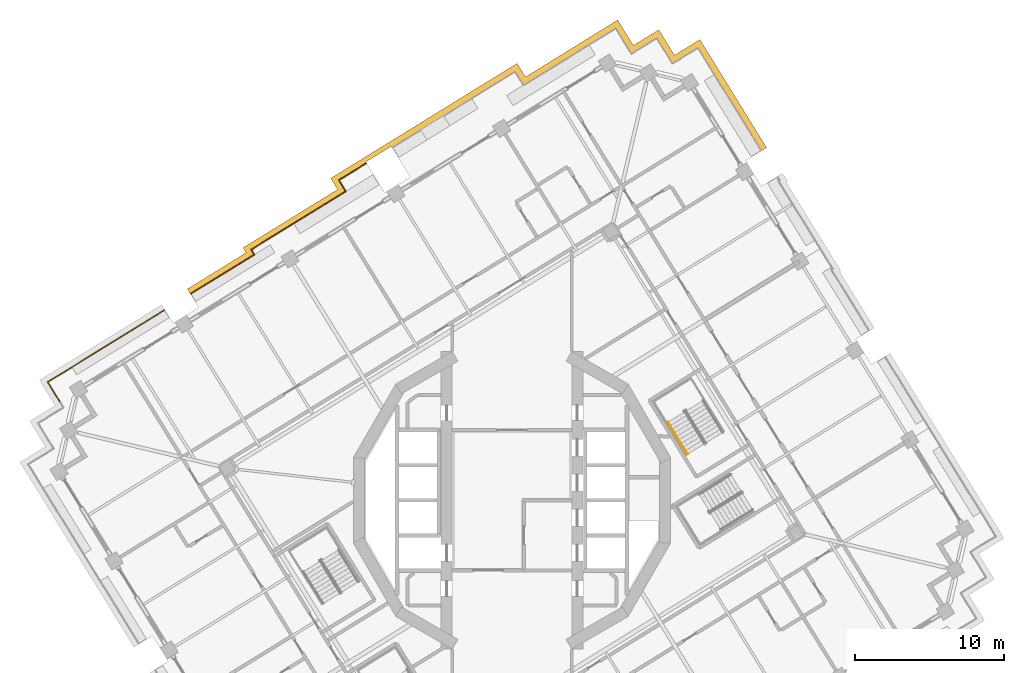
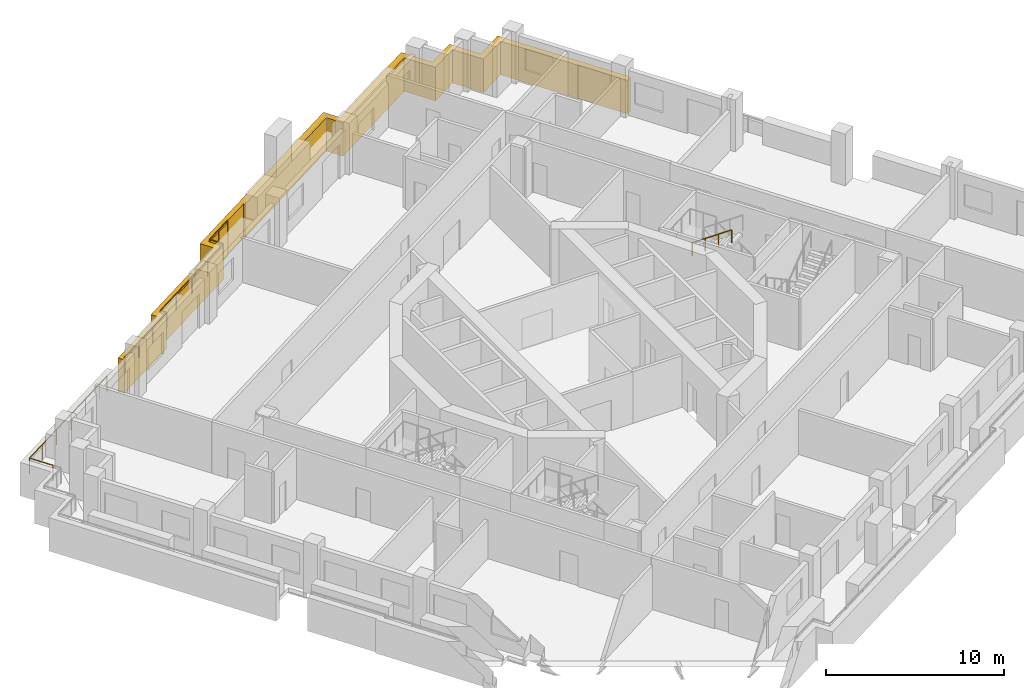
# One storey, part 17 of 20: 3 railings, 1 covering.
"""IFC4 building model written with IfcOpenShell, lengths in metres."""

from ifc_helpers import new_model, si_unit, direction, frame, origin, origin_2d, place, context, subcontext, project, spatial, polyline, circle, outline, extrude, material, type_object, element, save


model = new_model("IFC4")

# Units and contexts
model_context = context("Model", 3, precision=1e-05, world=origin(), true_north=direction((0.0, 1.0)))
body_context = subcontext(model_context, "Body", "Model", "MODEL_VIEW")
ifc_project = project(units=[si_unit("LENGTHUNIT", "METRE"), si_unit("AREAUNIT", "SQUARE_METRE"), si_unit("VOLUMEUNIT", "CUBIC_METRE"), si_unit("PLANEANGLEUNIT", "RADIAN"), si_unit("MASSUNIT", "GRAM", prefix="KILO")], contexts=[model_context])

# Site, building, storey
site_placement = place(None, origin())
site = spatial("IfcSite", under=ifc_project, at=site_placement, CompositionType="ELEMENT")
building_placement = place(site_placement, origin())
building = spatial("IfcBuilding", under=site, at=building_placement, Name="Cantera Rosa Tower", CompositionType="ELEMENT")
storey_placement = place(building_placement, frame((0.0, 0.0, 181.800048828125)))
storey = spatial("IfcBuildingStorey", under=building, at=storey_placement, Name="L40", CompositionType="ELEMENT", Elevation=181.800048828125)

# Railings
ifc_material_1 = material(Name="Stainless steel and laminated glass", Category="steel")
railing_type_1 = type_object("IfcRailingType", Name="GUARD 1100", PredefinedType="BALUSTRADE", material=ifc_material_1)
railing_1_placement = place(storey_placement, frame((-30.293212890625, 6.634521484375, 0.0)))
element("IfcRailing", 1, at=railing_1_placement, inside=storey, type_object=railing_type_1, Name="GUARD L40-4", PredefinedType="BALUSTRADE", context=body_context, shape_type="SweptSolid", body=[
    extrude(circle(Radius=0.030029296875, at=origin_2d()), frame((0.0, 0.0, 1.070068359375), z_axis=(-0.524869051004, 0.85118298814, 0.0), x_axis=(-0.85118298814, -0.524869051004, 0.0)), (0.0, 0.0, 1.0), 1.5),
    extrude(circle(Radius=0.030029296875, at=origin_2d()), frame((-0.787353515625, 1.27685546875, 1.070068359375), z_axis=(0.851138143202, 0.52494176933, 0.0), x_axis=(-0.52494176933, 0.851138143202, 0.0)), (0.0, 0.0, 1.0), 1.5),
    extrude(circle(Radius=0.030029296875, at=origin_2d()), frame((0.4892578125, 2.064208984375, 1.070068359375), z_axis=(0.851120753703, 0.524969963537, 0.0), x_axis=(-0.524969963537, 0.851120753703, 0.0)), (0.0, 0.0, 1.0), 6.820068359375),
    extrude(circle(Radius=0.030029296875, at=origin_2d()), frame((6.2939453125, 5.64453125, 1.070068359375), z_axis=(0.851089370259, 0.525020841331, 0.0), x_axis=(-0.525020841331, 0.851089370259, 0.0)), (0.0, 0.0, 1.0), 0.8701171875),
    extrude(circle(Radius=0.02490234375, at=origin_2d()), origin(), (0.0, 0.0, 1.0), 1.0400390625),
    extrude(circle(Radius=0.02490234375, at=origin_2d()), frame((-0.787353515625, 1.27685546875, 0.0)), (0.0, 0.0, 1.0), 1.0400390625),
    extrude(circle(Radius=0.02490234375, at=origin_2d()), frame((0.4892578125, 2.064208984375, 0.0)), (0.0, 0.0, 1.0), 1.0400390625),
    extrude(circle(Radius=0.02490234375, at=origin_2d()), frame((1.9404296875, 2.959228515625, 0.0)), (0.0, 0.0, 1.0), 1.0400390625),
    extrude(circle(Radius=0.02490234375, at=origin_2d()), frame((3.3916015625, 3.8544921875, 0.0)), (0.0, 0.0, 1.0), 1.0400390625),
    extrude(circle(Radius=0.02490234375, at=origin_2d()), frame((4.8427734375, 4.74951171875, 0.0)), (0.0, 0.0, 1.0), 1.0400390625),
    extrude(circle(Radius=0.02490234375, at=origin_2d()), frame((6.2939453125, 5.64453125, 0.0)), (0.0, 0.0, 1.0), 1.0400390625),
    extrude(circle(Radius=0.02490234375, at=origin_2d()), frame((7.034423828125, 6.101318359375, 0.0)), (0.0, 0.0, 1.0), 1.0400390625),
])
railing_2_placement = place(storey_placement, frame((-21.505615234375, 13.817138671875, 0.0)))
element("IfcRailing", 2, at=railing_2_placement, inside=storey, type_object=railing_type_1, Name="GUARD L40-6", PredefinedType="BALUSTRADE", context=body_context, shape_type="SweptSolid", body=[
    extrude(circle(Radius=0.030029296875, at=origin_2d()), frame((0.0, 0.0, 1.070068359375), z_axis=(0.850339408664, 0.52623463405, 0.0), x_axis=(-0.52623463405, 0.850339408664, 0.0)), (0.0, 0.0, 1.0), 0.070068359375),
    extrude(circle(Radius=0.030029296875, at=origin_2d()), frame((0.0595703125, 0.036865234375, 1.070068359375), z_axis=(0.851115563534, 0.524978378136, 0.0), x_axis=(-0.524978378136, 0.851115563534, 0.0)), (0.0, 0.0, 1.0), 4.930908203125),
    extrude(circle(Radius=0.030029296875, at=origin_2d()), frame((4.25634765625, 2.62548828125, 1.070068359375), z_axis=(-0.524797740266, 0.851226956699, 0.0), x_axis=(-0.851226956699, -0.524797740266, 0.0)), (0.0, 0.0, 1.0), 0.388916015625),
    extrude(circle(Radius=0.030029296875, at=origin_2d()), frame((4.05224609375, 2.95654296875, 1.070068359375), z_axis=(0.851109306272, 0.52498852252, 0.0), x_axis=(-0.52498852252, 0.851109306272, 0.0)), (0.0, 0.0, 1.0), 7.442138671875),
    extrude(circle(Radius=0.030029296875, at=origin_2d()), frame((10.38623046875, 6.863525390625, 1.070068359375), z_axis=(-0.52496592251, 0.851123246189, 0.0), x_axis=(-0.851123246189, -0.52496592251, 0.0)), (0.0, 0.0, 1.0), 0.8779296875),
    extrude(circle(Radius=0.030029296875, at=origin_2d()), frame((9.92529296875, 7.61083984375, 1.070068359375), z_axis=(0.851128332412, 0.524957676166, 0.0), x_axis=(-0.524957676166, 0.851128332412, 0.0)), (0.0, 0.0, 1.0), 2.136962890625),
    extrude(circle(Radius=0.02490234375, at=origin_2d()), origin(), (0.0, 0.0, 1.0), 1.0400390625),
    extrude(circle(Radius=0.02490234375, at=origin_2d()), frame((0.0595703125, 0.036865234375, 0.0)), (0.0, 0.0, 1.0), 1.0400390625),
    extrude(circle(Radius=0.02490234375, at=origin_2d()), frame((1.45849609375, 0.899658203125, 0.0)), (0.0, 0.0, 1.0), 1.0400390625),
    extrude(circle(Radius=0.02490234375, at=origin_2d()), frame((2.857421875, 1.7626953125, 0.0)), (0.0, 0.0, 1.0), 1.0400390625),
    extrude(circle(Radius=0.02490234375, at=origin_2d()), frame((4.25634765625, 2.62548828125, 0.0)), (0.0, 0.0, 1.0), 1.0400390625),
    extrude(circle(Radius=0.02490234375, at=origin_2d()), frame((4.05224609375, 2.95654296875, 0.0)), (0.0, 0.0, 1.0), 1.0400390625),
    extrude(circle(Radius=0.02490234375, at=origin_2d()), frame((5.6357421875, 3.933349609375, 0.0)), (0.0, 0.0, 1.0), 1.0400390625),
    extrude(circle(Radius=0.02490234375, at=origin_2d()), frame((7.21923828125, 4.91015625, 0.0)), (0.0, 0.0, 1.0), 1.0400390625),
    extrude(circle(Radius=0.02490234375, at=origin_2d()), frame((8.802734375, 5.88671875, 0.0)), (0.0, 0.0, 1.0), 1.0400390625),
    extrude(circle(Radius=0.02490234375, at=origin_2d()), frame((10.38623046875, 6.863525390625, 0.0)), (0.0, 0.0, 1.0), 1.0400390625),
    extrude(circle(Radius=0.02490234375, at=origin_2d()), frame((9.92529296875, 7.61083984375, 0.0)), (0.0, 0.0, 1.0), 1.0400390625),
    extrude(circle(Radius=0.02490234375, at=origin_2d()), frame((10.834716796875, 8.171875, 0.0)), (0.0, 0.0, 1.0), 1.0400390625),
    extrude(circle(Radius=0.02490234375, at=origin_2d()), frame((11.744140625, 8.732666015625, 0.0)), (0.0, 0.0, 1.0), 1.0400390625),
])
ifc_material_2 = material(Name="Steel S355J2 (EN 10025-2)", Category="steel")
railing_type_2 = type_object("IfcRailingType", Name="STAIR HANDRAIL 900", PredefinedType="HANDRAIL", material=ifc_material_2)
railing_3_placement = place(storey_placement, frame((10.441650390625, 5.2314453125, 2.08984375)))
element("IfcRailing", 3, at=railing_3_placement, inside=storey, type_object=railing_type_2, Name="L40 ST-31 stair handrail 2", PredefinedType="HANDRAIL", context=body_context, shape_type="SweptSolid", body=[
    extrude(circle(Radius=0.02392578125, at=origin_2d()), frame((0.0, 0.0, 0.8759765625), z_axis=(0.434408057947, -0.704239673199, 0.561547969352), x_axis=(0.851102330005, 0.524999832248, 0.0)), (0.0, 0.0, 1.0), 3.04541015625),
    extrude(circle(Radius=0.02099609375, at=origin_2d()), origin(), (0.0, 0.0, 1.0), 0.851806640625),
    extrude(circle(Radius=0.02099609375, at=origin_2d()), frame((0.44091796875, -0.71484375, 0.570068359375)), (0.0, 0.0, 1.0), 0.851806640625),
    extrude(circle(Radius=0.02099609375, at=origin_2d()), frame((0.882080078125, -1.429931640625, 1.14013671875)), (0.0, 0.0, 1.0), 0.851806640625),
    extrude(circle(Radius=0.02099609375, at=origin_2d()), frame((1.322998046875, -2.144775390625, 1.710205078125)), (0.0, 0.0, 1.0), 0.851806640625),
])

# Covering
ifc_material_3 = material(Name="Cantera stone", Category="masonry")
covering_type = type_object("IfcCoveringType", Name="TRAY FASCIA 400", PredefinedType="CLADDING", material=ifc_material_3)
covering_placement = place(storey_placement, frame((0.0, 0.0, -1.400146484375)))
element("IfcCovering", 4, at=covering_placement, inside=storey, type_object=covering_type, Name="TRAY FASCIA L40-03", PredefinedType="CLADDING", context=body_context, shape_type="SweptSolid", body=[
    extrude(outline(polyline([(-21.656005859375, 14.1943359375), (-17.799560546875, 16.572998046875), (-18.00390625, 16.904296875), (-11.669921875, 20.81103515625), (-12.130859375, 21.558349609375), (0.341552734375, 29.25146484375), (0.90185546875, 28.34326171875), (5.28759765625, 31.04833984375), (7.074951171875, 32.15087890625), (8.124755859375, 30.44873046875), (9.8271484375, 31.49853515625), (10.876953125, 29.79638671875), (12.579345703125, 30.84619140625), (13.681640625, 29.05908203125), (17.046875, 23.603271484375), (16.706298828125, 23.393310546875), (13.34130859375, 28.848876953125), (12.44873046875, 30.2958984375), (11.001953125, 29.4033203125), (10.74658203125, 29.245849609375), (10.589111328125, 29.501220703125), (9.696533203125, 30.9482421875), (8.249755859375, 30.0556640625), (7.994384765625, 29.898193359375), (7.8369140625, 30.153564453125), (6.9443359375, 31.600341796875), (5.49755859375, 30.7080078125), (0.771484375, 27.79296875), (0.211181640625, 28.701171875), (-8.025146484375, 23.620849609375), (-8.068603515625, 23.69140625), (-8.0693359375, 23.692138671875), (-8.06982421875, 23.69287109375), (-8.070556640625, 23.693603515625), (-8.0712890625, 23.6943359375), (-8.072265625, 23.69482421875), (-8.072998046875, 23.6953125), (-8.073974609375, 23.695556640625), (-8.074951171875, 23.69580078125), (-8.075927734375, 23.696044921875), (-8.076904296875, 23.696044921875), (-8.077880859375, 23.696044921875), (-8.078857421875, 23.696044921875), (-8.079833984375, 23.69580078125), (-8.080810546875, 23.695556640625), (-8.08154296875, 23.695068359375), (-8.08251953125, 23.694580078125), (-9.78466796875, 22.644775390625), (-9.785400390625, 22.64404296875), (-9.786376953125, 22.6435546875), (-9.786865234375, 22.642822265625), (-9.78759765625, 22.64208984375), (-9.7880859375, 22.64111328125), (-9.78857421875, 22.640380859375), (-9.788818359375, 22.639404296875), (-9.7890625, 22.638427734375), (-9.789306640625, 22.637451171875), (-9.78955078125, 22.636474609375), (-9.78955078125, 22.635498046875), (-9.789306640625, 22.634521484375), (-9.7890625, 22.633544921875), (-9.788818359375, 22.632568359375), (-9.788330078125, 22.6318359375), (-9.7880859375, 22.630859375), (-9.744384765625, 22.560302734375), (-11.580322265625, 21.427978515625), (-11.119384765625, 20.6806640625), (-17.453369140625, 16.773681640625), (-17.249267578125, 16.442626953125), (-21.446044921875, 13.85400390625), (-21.5224609375, 13.806640625), (-21.732666015625, 14.147216796875), (-21.656005859375, 14.1943359375)])), origin(), (0.0, 0.0, 1.0), 2.300048828125),
])

save(model, "model.ifc")
